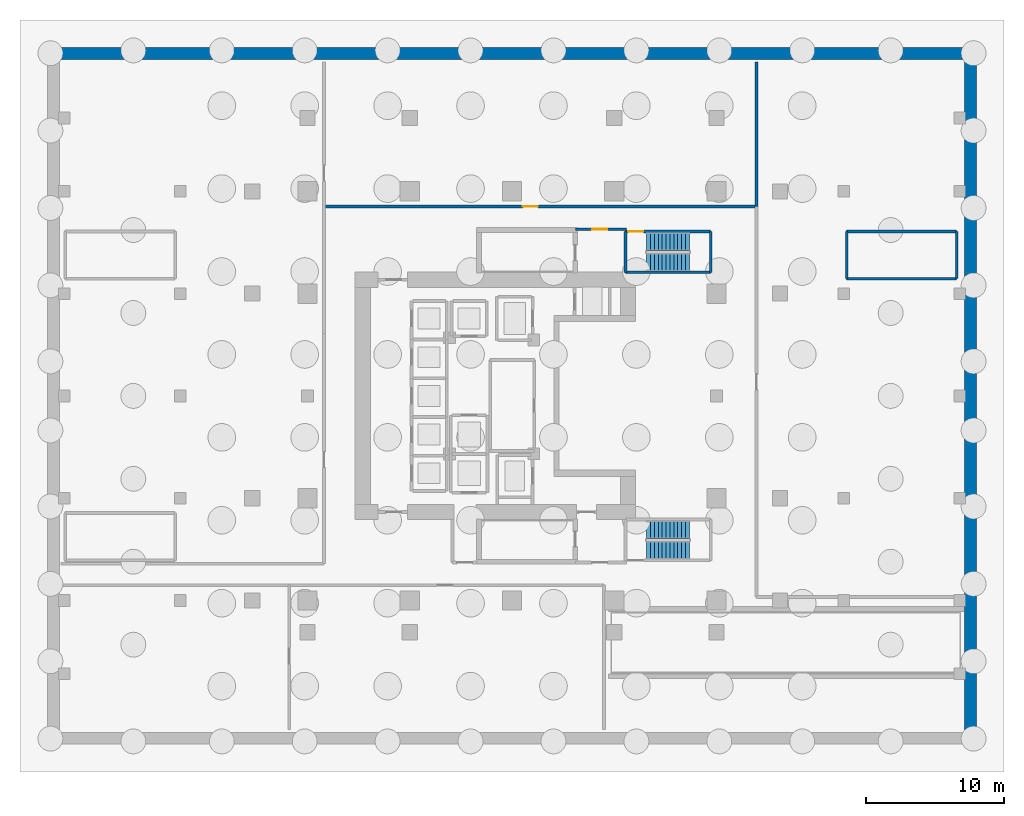
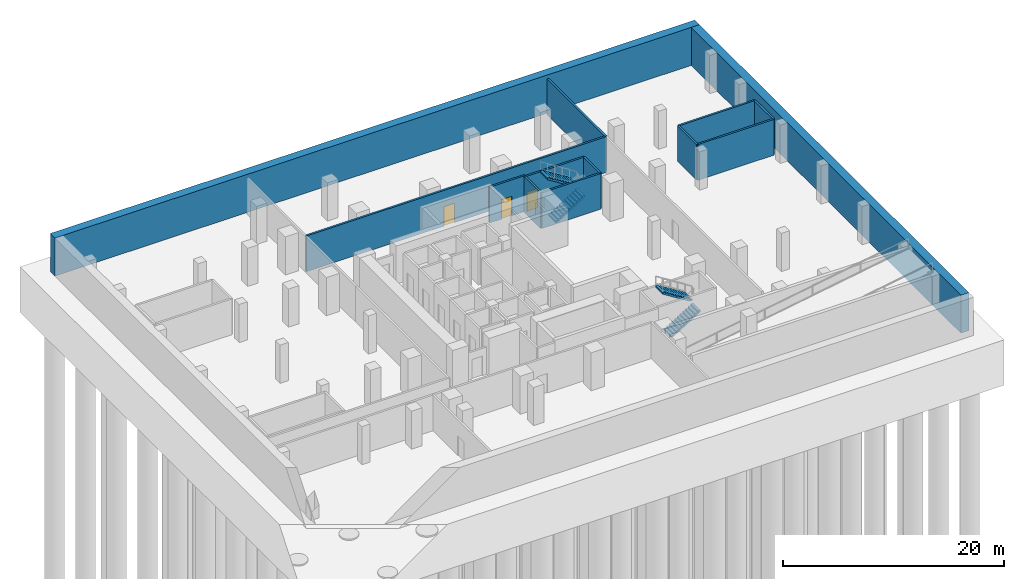
# One storey, part 4 of 6: 13 walls, 4 stair flights, 3 doors, 3 openings, 2 elements without a shape of their own.
"""IFC4 building model written with IfcOpenShell, lengths in metres."""

from ifc_helpers import new_model, si_unit, direction, frame, frame_2d, origin, place, context, subcontext, project, spatial, polyline, rectangle, outline, extrude, material, layer, layer_set, type_object, element, fill, aggregate, save


model = new_model("IFC4")

# Units and contexts
model_context = context("Model", 3, precision=1e-05, world=origin(), true_north=direction((0.0, 1.0)))
body_context = subcontext(model_context, "Body", "Model", "MODEL_VIEW")
ifc_project = project(units=[si_unit("LENGTHUNIT", "METRE"), si_unit("AREAUNIT", "SQUARE_METRE"), si_unit("VOLUMEUNIT", "CUBIC_METRE"), si_unit("PLANEANGLEUNIT", "RADIAN"), si_unit("MASSUNIT", "GRAM", prefix="KILO")], contexts=[model_context])

# Site, building, storey
site_placement = place(None, origin())
site = spatial("IfcSite", under=ifc_project, at=site_placement, CompositionType="ELEMENT")
building_placement = place(site_placement, origin())
building = spatial("IfcBuilding", under=site, at=building_placement, Name="Khorvyn Point Tower", CompositionType="ELEMENT")
storey_placement = place(building_placement, frame((0.0, 0.0, -12.60009765625)))
storey = spatial("IfcBuildingStorey", under=building, at=storey_placement, Name="B3", CompositionType="ELEMENT", Elevation=-12.60009765625)

# Walls
ifc_material_1 = material(Name="Concrete C35/45", Category="concrete")
ifc_layer_1 = layer(ifc_material_1, 0.85009765625)
ifc_layer_set_1 = layer_set([ifc_layer_1], Name="Concrete C35/45 Basement Retaining Wall 850")
wall_type_1 = type_object("IfcWallType", Name="Concrete C35/45 Basement Retaining Wall 850", PredefinedType="SOLIDWALL", material=ifc_layer_set_1)
wall_1_placement = place(storey_placement, frame((-33.60009765625, 24.77490234375, 0.0), z_axis=(0.0, 0.0, 1.0), x_axis=(1.0, 0.0, 0.0)))
element("IfcWall", 1, at=wall_1_placement, inside=storey, type_object=wall_type_1, Name="B3 Basement Retaining Wall N", PredefinedType="SOLIDWALL", context=body_context, shape_type="SweptSolid", body=[
    extrude(rectangle(XDim=67.2001953125, YDim=0.85009765625, at=frame_2d((33.60009765625, 0.0))), origin(), (0.0, 0.0, 1.0), 4.2001953125),
])
wall_2_placement = place(storey_placement, frame((33.175048828125, -24.35009765625, 0.0), z_axis=(0.0, 0.0, 1.0), x_axis=(0.0, 1.0, 0.0)))
element("IfcWall", 2, at=wall_2_placement, inside=storey, type_object=wall_type_1, Name="B3 Basement Retaining Wall E", PredefinedType="SOLIDWALL", context=body_context, shape_type="SweptSolid", body=[
    extrude(rectangle(XDim=48.7001953125, YDim=0.85009765625, at=frame_2d((24.35009765625, 0.0))), origin(), (0.0, 0.0, 1.0), 4.2001953125),
])

# Wall, opening, door
ifc_material_2 = material(Name="Concrete C35/45 masonry blockwork", Category="masonry")
ifc_layer_2 = layer(ifc_material_2, 0.199951171875)
ifc_layer_set_2 = layer_set([ifc_layer_2], Name="Concrete C35/45 Blockwork Plant Compartment Wall 200")
wall_type_2 = type_object("IfcWallType", Name="Concrete C35/45 Blockwork Plant Compartment Wall 200", PredefinedType="SOLIDWALL", material=ifc_layer_set_2)
wall_3_placement = place(storey_placement, frame((-13.60009765625, 13.699951171875, 0.0), z_axis=(0.0, 0.0, 1.0), x_axis=(1.0, 0.0, 0.0)))
wall_3 = element("IfcWall", 3, at=wall_3_placement, inside=storey, type_object=wall_type_2, Name="Wall", PredefinedType="SOLIDWALL", context=body_context, shape_type="SweptSolid", body=[
    extrude(rectangle(XDim=31.300048828125, YDim=0.199951171875, at=frame_2d((15.64990234375, 0.0))), origin(), (0.0, 0.0, 1.0), 3.940185546875),
])
opening_1_placement = place(wall_3_placement, frame((14.3798828125, 0.0, 0.0)))
opening_1 = element("IfcOpeningElement", 4, at=opening_1_placement, cuts=wall_3, Name="Opening ID-FL90", PredefinedType="OPENING", context=body_context, shape_type="SweptSolid", body=[
    extrude(rectangle(XDim=1.10009765625, YDim=2.14990234375, at=frame_2d((0.550048828125, 1.074951171875))), frame((0.0, 0.10986328125, 0.0), z_axis=(0.0, -1.0, 0.0), x_axis=(1.0, 0.0, 0.0)), (0.0, 0.0, 1.0), 0.219970703125),
])
ifc_material_3 = material(Name="Galvanised powder-coated steel", Category="steel")
door_type = type_object("IfcDoorType", Name="Fire-Rated Steel Lobby and Stair Door 1100x2150", OperationType="NOTDEFINED", PredefinedType="DOOR", material=ifc_material_3)
door_1_placement = place(opening_1_placement, origin())
door_1 = element("IfcDoor", 5, at=door_1_placement, inside=storey, type_object=door_type, Name="Door", OperationType="SINGLE_SWING_RIGHT", OverallHeight=2.14990234375, OverallWidth=1.10009765625, PredefinedType="DOOR", context=body_context, shape_type="SweptSolid", body=[
    extrude(rectangle(XDim=1.10009765625, YDim=2.14990234375, at=frame_2d((0.550048828125, 1.074951171875))), frame((0.0, 0.02490234375, 0.0), z_axis=(0.0, -1.0, 0.0), x_axis=(1.0, 0.0, 0.0)), (0.0, 0.0, 1.0), 0.050048828125),
])
fill(opening_1, door_1)

# Wall
wall_4_placement = place(storey_placement, frame((17.699951171875, 13.699951171875, 0.0), z_axis=(0.0, 0.0, 1.0), x_axis=(0.0, 1.0, 0.0)))
element("IfcWall", 6, at=wall_4_placement, inside=storey, type_object=wall_type_2, Name="Wall", PredefinedType="SOLIDWALL", context=body_context, shape_type="SweptSolid", body=[
    extrude(rectangle(XDim=10.449951171875, YDim=0.199951171875, at=frame_2d((5.22509765625, 0.0))), origin(), (0.0, 0.0, 1.0), 3.940185546875),
])

# Wall, opening, door
ifc_material_4 = material(Name="Concrete C40/50", Category="concrete")
ifc_layer_3 = layer(ifc_material_4, 0.199951171875)
ifc_layer_set_3 = layer_set([ifc_layer_3], Name="Concrete C40/50 Fire-Lobby Compartment Wall 200")
wall_type_3 = type_object("IfcWallType", Name="Concrete C40/50 Fire-Lobby Compartment Wall 200", PredefinedType="SOLIDWALL", material=ifc_layer_set_3)
wall_5_placement = place(storey_placement, frame((4.580078125, 12.06005859375, 0.0), z_axis=(0.0, 0.0, 1.0), x_axis=(1.0, 0.0, 0.0)))
wall_5 = element("IfcWall", 7, at=wall_5_placement, inside=storey, type_object=wall_type_3, Name="Wall", PredefinedType="SOLIDWALL", context=body_context, shape_type="SweptSolid", body=[
    extrude(rectangle(XDim=3.699951171875, YDim=0.199951171875, at=frame_2d((1.85009765625, 0.0))), origin(), (0.0, 0.0, 1.0), 3.940185546875),
])
opening_2_placement = place(wall_5_placement, frame((1.21240234375, 0.0, 0.0)))
opening_2 = element("IfcOpeningElement", 8, at=opening_2_placement, cuts=wall_5, Name="Opening ID-FL90", PredefinedType="OPENING", context=body_context, shape_type="SweptSolid", body=[
    extrude(rectangle(XDim=1.10009765625, YDim=2.14990234375, at=frame_2d((0.550048828125, 1.074951171875))), frame((0.0, 0.10986328125, 0.0), z_axis=(0.0, -1.0, 0.0), x_axis=(1.0, 0.0, 0.0)), (0.0, 0.0, 1.0), 0.219970703125),
])
door_2_placement = place(opening_2_placement, origin())
door_2 = element("IfcDoor", 9, at=door_2_placement, inside=storey, type_object=door_type, Name="Door", OperationType="SINGLE_SWING_LEFT", OverallHeight=2.14990234375, OverallWidth=1.10009765625, PredefinedType="DOOR", context=body_context, shape_type="SweptSolid", body=[
    extrude(rectangle(XDim=1.10009765625, YDim=2.14990234375, at=frame_2d((0.550048828125, 1.074951171875))), frame((0.0, 0.02490234375, 0.0), z_axis=(0.0, -1.0, 0.0), x_axis=(1.0, 0.0, 0.0)), (0.0, 0.0, 1.0), 0.050048828125),
])
fill(opening_2, door_2)

# Walls
ifc_layer_4 = layer(ifc_material_4, 0.199951171875)
ifc_layer_set_4 = layer_set([ifc_layer_4], Name="Concrete C40/50 Structural Hoistway and Stair Shaft Wall 200")
wall_type_4 = type_object("IfcWallType", Name="Concrete C40/50 Structural Hoistway and Stair Shaft Wall 200", PredefinedType="SHEAR", material=ifc_layer_set_4)
for number, where, z_axis, x_axis, name in (
    (10, (8.219970703125, 8.93994140625, 0.0), (0.0, 0.0, 1.0), (0.0, 1.0, 0.0), "Wall"),
    (11, (14.3798828125, 11.89990234375, 0.0), (0.0, 0.0, 1.0), (0.0, -1.0, 0.0), "Wall"),
):
    element("IfcWall", number, at=place(storey_placement, frame(where, z_axis=z_axis, x_axis=x_axis)), inside=storey, type_object=wall_type_4, Name=name, PredefinedType="SHEAR", context=body_context, shape_type="SweptSolid", body=[
        extrude(rectangle(XDim=2.9599609375, YDim=0.199951171875, at=frame_2d((1.47998046875, 0.0))), origin(), (0.0, 0.0, 1.0), 3.940185546875),
    ])
wall_6_placement = place(storey_placement, frame((14.3798828125, 8.93994140625, 0.0), z_axis=(0.0, 0.0, 1.0), x_axis=(-1.0, 0.0, 0.0)))
element("IfcWall", 12, at=wall_6_placement, inside=storey, type_object=wall_type_4, Name="Wall", PredefinedType="SHEAR", context=body_context, shape_type="SweptSolid", body=[
    extrude(rectangle(XDim=6.159912109375, YDim=0.199951171875, at=frame_2d((3.080078125, 0.0))), origin(), (0.0, 0.0, 1.0), 3.940185546875),
])

# Wall, opening, door
wall_7_placement = place(storey_placement, frame((8.219970703125, 11.89990234375, 0.0), z_axis=(0.0, 0.0, 1.0), x_axis=(1.0, 0.0, 0.0)))
wall_7 = element("IfcWall", 13, at=wall_7_placement, inside=storey, type_object=wall_type_4, Name="Wall", PredefinedType="SHEAR", context=body_context, shape_type="SweptSolid", body=[
    extrude(rectangle(XDim=6.159912109375, YDim=0.199951171875, at=frame_2d((3.080078125, 0.0))), origin(), (0.0, 0.0, 1.0), 3.940185546875),
])
opening_3_placement = place(wall_7_placement, frame((0.179931640625, 0.0, 0.0)))
opening_3 = element("IfcOpeningElement", 14, at=opening_3_placement, cuts=wall_7, Name="Opening ID-FL90", PredefinedType="OPENING", context=body_context, shape_type="SweptSolid", body=[
    extrude(rectangle(XDim=1.10009765625, YDim=2.14990234375, at=frame_2d((0.550048828125, 1.074951171875))), frame((0.0, 0.10986328125, 0.0), z_axis=(0.0, -1.0, 0.0), x_axis=(1.0, 0.0, 0.0)), (0.0, 0.0, 1.0), 0.219970703125),
])
door_3_placement = place(opening_3_placement, origin())
door_3 = element("IfcDoor", 15, at=door_3_placement, inside=storey, type_object=door_type, Name="B3 ST-B2 Smokeproof Landing Door", OperationType="SINGLE_SWING_LEFT", OverallHeight=2.14990234375, OverallWidth=1.10009765625, PredefinedType="DOOR", context=body_context, shape_type="SweptSolid", body=[
    extrude(rectangle(XDim=1.10009765625, YDim=2.14990234375, at=frame_2d((0.550048828125, 1.074951171875))), frame((0.0, 0.02490234375, 0.0), z_axis=(0.0, -1.0, 0.0), x_axis=(1.0, 0.0, 0.0)), (0.0, 0.0, 1.0), 0.050048828125),
])
fill(opening_3, door_3)

# Walls
for number, where, z_axis, x_axis, name in (
    (16, (24.219970703125, 8.47998046875, 0.0), (0.0, 0.0, 1.0), (0.0, 1.0, 0.0), "Wall"),
    (17, (32.179931640625, 11.89990234375, 0.0), (0.0, 0.0, 1.0), (0.0, -1.0, 0.0), "Wall"),
):
    element("IfcWall", number, at=place(storey_placement, frame(where, z_axis=z_axis, x_axis=x_axis)), inside=storey, type_object=wall_type_4, Name=name, PredefinedType="SHEAR", context=body_context, shape_type="SweptSolid", body=[
        extrude(rectangle(XDim=3.419921875, YDim=0.199951171875, at=frame_2d((1.7099609375, 0.0))), origin(), (0.0, 0.0, 1.0), 3.940185546875),
    ])
for number, where, z_axis, x_axis, name in (
    (18, (32.179931640625, 8.47998046875, 0.0), (0.0, 0.0, 1.0), (-1.0, 0.0, 0.0), "Wall"),
    (19, (24.219970703125, 11.89990234375, 0.0), (0.0, 0.0, 1.0), (1.0, 0.0, 0.0), "Wall"),
):
    element("IfcWall", number, at=place(storey_placement, frame(where, z_axis=z_axis, x_axis=x_axis)), inside=storey, type_object=wall_type_4, Name=name, PredefinedType="SHEAR", context=body_context, shape_type="SweptSolid", body=[
        extrude(rectangle(XDim=7.9599609375, YDim=0.199951171875, at=frame_2d((3.97998046875, 0.0))), origin(), (0.0, 0.0, 1.0), 3.940185546875),
    ])

# Stair, stair flights
stair_type = type_object("IfcStairType", Name="Tower Concrete C40/50 Dogleg Exit Stair", PredefinedType="HALF_TURN_STAIR", material=ifc_material_4)
stair_1_placement = place(storey_placement, origin())
stair_1 = element("IfcStair", 20, at=stair_1_placement, inside=storey, type_object=stair_type, Name="B3 Basement Garage Smokeproof Stair South", PredefinedType="HALF_TURN_STAIR")
stair_flight_type = type_object("IfcStairFlightType", Name="Tower Concrete C40/50 Stair Flight", PredefinedType="STRAIGHT", material=ifc_material_4)
stair_flight_1_placement = place(storey_placement, frame((9.75, -11.159912109375, 0.0), z_axis=(0.0, 0.0, 1.0), x_axis=(1.0, 0.0, 0.0)))
stair_flight_1 = element("IfcStairFlight", 21, at=stair_flight_1_placement, type_object=stair_flight_type, Name="ST-B1 flight 1", NumberOfRisers=12, NumberOfTreads=11, PredefinedType="STRAIGHT", RiserHeight=0.175, TreadLength=0.28, context=body_context, shape_type="SweptSolid", body=[
    extrude(outline(polyline([(0.0, 0.0), (0.0, 0.175048828125), (0.280029296875, 0.175048828125), (0.280029296875, 0.35009765625), (0.56005859375, 0.35009765625), (0.56005859375, 0.52490234375), (0.840087890625, 0.52490234375), (0.840087890625, 0.699951171875), (1.1201171875, 0.699951171875), (1.1201171875, 0.875), (1.39990234375, 0.875), (1.39990234375, 1.050048828125), (1.679931640625, 1.050048828125), (1.679931640625, 1.22509765625), (1.9599609375, 1.22509765625), (1.9599609375, 1.39990234375), (2.239990234375, 1.39990234375), (2.239990234375, 1.574951171875), (2.52001953125, 1.574951171875), (2.52001953125, 1.75), (2.800048828125, 1.75), (2.800048828125, 1.925048828125), (3.080078125, 1.925048828125), (3.080078125, 2.10009765625), (3.080078125, 1.748291015625), (0.28271484375, 0.0), (0.0, 0.0)])), frame((0.0, 0.66015625, 0.0), z_axis=(0.0, -1.0, 0.0), x_axis=(1.0, 0.0, 0.0)), (0.0, 0.0, 1.0), 1.320068359375),
])
stair_flight_2_placement = place(storey_placement, frame((12.830078125, -9.679931640625, 2.10009765625), z_axis=(0.0, 0.0, 1.0), x_axis=(-1.0, 0.0, 0.0)))
stair_flight_2 = element("IfcStairFlight", 22, at=stair_flight_2_placement, type_object=stair_flight_type, Name="ST-B1 flight 2", NumberOfRisers=12, NumberOfTreads=11, PredefinedType="STRAIGHT", RiserHeight=0.175, TreadLength=0.28, context=body_context, shape_type="SweptSolid", body=[
    extrude(outline(polyline([(0.0, 0.0), (0.0, 0.175048828125), (0.280029296875, 0.175048828125), (0.280029296875, 0.35009765625), (0.56005859375, 0.35009765625), (0.56005859375, 0.52490234375), (0.840087890625, 0.52490234375), (0.840087890625, 0.699951171875), (1.1201171875, 0.699951171875), (1.1201171875, 0.875), (1.39990234375, 0.875), (1.39990234375, 1.050048828125), (1.679931640625, 1.050048828125), (1.679931640625, 1.22509765625), (1.9599609375, 1.22509765625), (1.9599609375, 1.39990234375), (2.239990234375, 1.39990234375), (2.239990234375, 1.574951171875), (2.52001953125, 1.574951171875), (2.52001953125, 1.75), (2.800048828125, 1.75), (2.800048828125, 1.925048828125), (3.080078125, 1.925048828125), (3.080078125, 2.10009765625), (3.080078125, 1.748291015625), (0.28271484375, 0.0), (0.0, 0.0)])), frame((0.0, 0.66015625, 0.0), z_axis=(0.0, -1.0, 0.0), x_axis=(1.0, 0.0, 0.0)), (0.0, 0.0, 1.0), 1.320068359375),
])
aggregate(stair_1, [stair_flight_1, stair_flight_2])

stair_2_placement = place(storey_placement, origin())
stair_2 = element("IfcStair", 23, at=stair_2_placement, inside=storey, type_object=stair_type, Name="B3 Basement Garage Smokeproof Stair North", PredefinedType="HALF_TURN_STAIR")
stair_flight_3_placement = place(storey_placement, frame((9.75, 9.679931640625, 0.0), z_axis=(0.0, 0.0, 1.0), x_axis=(1.0, 0.0, 0.0)))
stair_flight_3 = element("IfcStairFlight", 24, at=stair_flight_3_placement, type_object=stair_flight_type, Name="ST-B2 flight 1", NumberOfRisers=12, NumberOfTreads=11, PredefinedType="STRAIGHT", RiserHeight=0.175, TreadLength=0.28, context=body_context, shape_type="SweptSolid", body=[
    extrude(outline(polyline([(0.0, 0.0), (0.0, 0.175048828125), (0.280029296875, 0.175048828125), (0.280029296875, 0.35009765625), (0.56005859375, 0.35009765625), (0.56005859375, 0.52490234375), (0.840087890625, 0.52490234375), (0.840087890625, 0.699951171875), (1.1201171875, 0.699951171875), (1.1201171875, 0.875), (1.39990234375, 0.875), (1.39990234375, 1.050048828125), (1.679931640625, 1.050048828125), (1.679931640625, 1.22509765625), (1.9599609375, 1.22509765625), (1.9599609375, 1.39990234375), (2.239990234375, 1.39990234375), (2.239990234375, 1.574951171875), (2.52001953125, 1.574951171875), (2.52001953125, 1.75), (2.800048828125, 1.75), (2.800048828125, 1.925048828125), (3.080078125, 1.925048828125), (3.080078125, 2.10009765625), (3.080078125, 1.748291015625), (0.28271484375, 0.0), (0.0, 0.0)])), frame((0.0, 0.66015625, 0.0), z_axis=(0.0, -1.0, 0.0), x_axis=(1.0, 0.0, 0.0)), (0.0, 0.0, 1.0), 1.320068359375),
])
stair_flight_4_placement = place(storey_placement, frame((12.830078125, 11.159912109375, 2.10009765625), z_axis=(0.0, 0.0, 1.0), x_axis=(-1.0, 0.0, 0.0)))
stair_flight_4 = element("IfcStairFlight", 25, at=stair_flight_4_placement, type_object=stair_flight_type, Name="ST-B2 flight 2", NumberOfRisers=12, NumberOfTreads=11, PredefinedType="STRAIGHT", RiserHeight=0.175, TreadLength=0.28, context=body_context, shape_type="SweptSolid", body=[
    extrude(outline(polyline([(0.0, 0.0), (0.0, 0.175048828125), (0.280029296875, 0.175048828125), (0.280029296875, 0.35009765625), (0.56005859375, 0.35009765625), (0.56005859375, 0.52490234375), (0.840087890625, 0.52490234375), (0.840087890625, 0.699951171875), (1.1201171875, 0.699951171875), (1.1201171875, 0.875), (1.39990234375, 0.875), (1.39990234375, 1.050048828125), (1.679931640625, 1.050048828125), (1.679931640625, 1.22509765625), (1.9599609375, 1.22509765625), (1.9599609375, 1.39990234375), (2.239990234375, 1.39990234375), (2.239990234375, 1.574951171875), (2.52001953125, 1.574951171875), (2.52001953125, 1.75), (2.800048828125, 1.75), (2.800048828125, 1.925048828125), (3.080078125, 1.925048828125), (3.080078125, 2.10009765625), (3.080078125, 1.748291015625), (0.28271484375, 0.0), (0.0, 0.0)])), frame((0.0, 0.66015625, 0.0), z_axis=(0.0, -1.0, 0.0), x_axis=(1.0, 0.0, 0.0)), (0.0, 0.0, 1.0), 1.320068359375),
])
aggregate(stair_2, [stair_flight_3, stair_flight_4])

save(model, "model.ifc")
